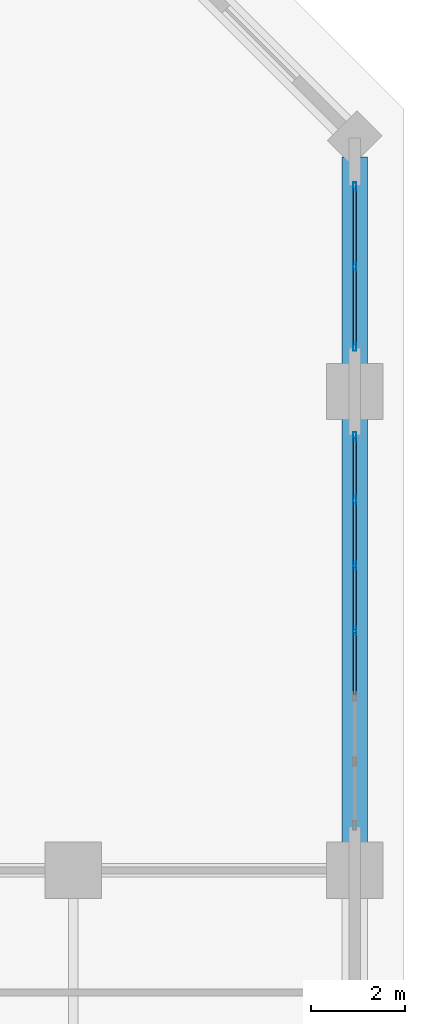
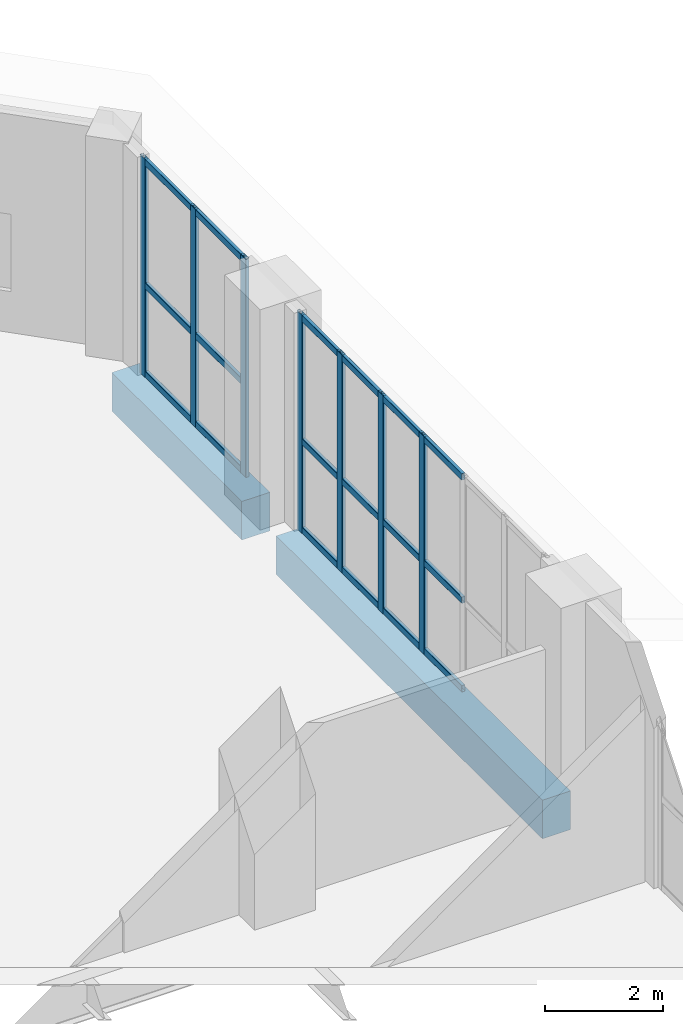
# One storey, part 24 of 37: 25 members, 2 beams, 2 elements without a shape of their own.
"""IFC4 building model written with IfcOpenShell, lengths in metres."""

from ifc_helpers import new_model, si_unit, direction, frame, origin, origin_2d, place, context, subcontext, project, spatial, rectangle, hollow_rectangle, extrude, material, layer, layer_set, material_profile, profile_set, type_object, element, aggregate, save


model = new_model("IFC4")

# Units and contexts
model_context = context("Model", 3, precision=1e-05, world=origin(), true_north=direction((0.0, 1.0)))
body_context = subcontext(model_context, "Body", "Model", "MODEL_VIEW")
ifc_project = project(units=[si_unit("LENGTHUNIT", "METRE"), si_unit("AREAUNIT", "SQUARE_METRE"), si_unit("VOLUMEUNIT", "CUBIC_METRE"), si_unit("PLANEANGLEUNIT", "RADIAN"), si_unit("MASSUNIT", "GRAM", prefix="KILO")], contexts=[model_context])

# Site, building, storey
site_placement = place(None, origin())
site = spatial("IfcSite", under=ifc_project, at=site_placement, CompositionType="ELEMENT")
building_placement = place(site_placement, origin())
building = spatial("IfcBuilding", under=site, at=building_placement, Name="Kaelvorn Grand Hotel", CompositionType="ELEMENT")
storey_placement = place(building_placement, frame((0.0, 0.0, 224.35009765625)))
storey = spatial("IfcBuildingStorey", under=building, at=storey_placement, Name="L55", CompositionType="ELEMENT", Elevation=224.35009765625)

# Beams
ifc_material_1 = material(Name="Concrete C50/60", Category="concrete")
ifc_material_profile_1 = material_profile(ifc_material_1, rectangle(XDim=0.550048828125, YDim=0.800048828125, at=origin_2d()), Name="RC SPANDREL 550x800")
ifc_profile_set_1 = profile_set([ifc_material_profile_1], Name="Concrete C50/60")
beam_type = type_object("IfcBeamType", Name="BM-SP-550x800-C50", PredefinedType="SPANDREL", material=ifc_profile_set_1)
beam_1_placement = place(storey_placement, frame((81.0, 29.985107421875, -0.64013671875), z_axis=(0.0, 1.0, 0.0), x_axis=(-1.0, 0.0, 0.0)))
element("IfcBeam", 1, at=beam_1_placement, inside=storey, type_object=beam_type, Name="L55 East Perimeter Spandrel 03", PredefinedType="SPANDREL", context=body_context, shape_type="SweptSolid", body=[
    extrude(rectangle(XDim=0.550048828125, YDim=0.800048828125, at=origin_2d()), origin(), (0.0, 0.0, 1.0), 9.02978515625),
])
beam_2_placement = place(storey_placement, frame((81.0, 40.18505859375, -0.64013671875), z_axis=(0.0, 1.0, 0.0), x_axis=(-1.0, 0.0, 0.0)))
element("IfcBeam", 2, at=beam_2_placement, inside=storey, type_object=beam_type, Name="L55 East Perimeter Spandrel 04", PredefinedType="SPANDREL", context=body_context, shape_type="SweptSolid", body=[
    extrude(rectangle(XDim=0.550048828125, YDim=0.800048828125, at=origin_2d()), origin(), (0.0, 0.0, 1.0), 4.409912109375),
])

# Curtain wall, members
ifc_material_2 = material(Name="Anodised Aluminium", Category="aluminium")
ifc_layer = layer(ifc_material_2, 0.179931640625)
ifc_layer_set = layer_set([ifc_layer], Name="Anodised Aluminium")
curtain_wall_type = type_object("IfcCurtainWallType", Name="CW-SYS4", PredefinedType="NOTDEFINED", material=ifc_layer_set)
curtain_wall_1_placement = place(storey_placement, origin())
curtain_wall_1 = element("IfcCurtainWall", 3, at=curtain_wall_1_placement, inside=storey, type_object=curtain_wall_type, Name="L55 Unitised Curtain Wall CW4 (CW-L55-E-04)", PredefinedType="NOTDEFINED")
ifc_material_profile_2 = material_profile(ifc_material_2, hollow_rectangle(XDim=0.070068359375, YDim=0.179931640625, WallThickness=0.00390625, InnerFilletRadius=0.00390625, OuterFilletRadius=0.008056640625, at=origin_2d()), Name="ALU MULL 70x180")
ifc_profile_set_2 = profile_set([ifc_material_profile_2], Name="Anodised Aluminium")
member_type_1 = type_object("IfcMemberType", Name="CW-SYS4-MULL", PredefinedType="MULLION", material=ifc_profile_set_2)
member_1_placement = place(storey_placement, frame((81.0, 34.5, 0.0), z_axis=(0.0, 0.0, 1.0), x_axis=(-1.0, 0.0, 0.0)))
member_1 = element("IfcMember", 4, at=member_1_placement, type_object=member_type_1, Name="CW4 mullion 4", PredefinedType="MULLION", context=body_context, shape_type="SweptSolid", body=[
    extrude(hollow_rectangle(XDim=0.070068359375, YDim=0.179931640625, WallThickness=0.00390625, InnerFilletRadius=0.00390625, OuterFilletRadius=0.008056640625, at=origin_2d()), origin(), (0.0, 0.0, 1.0), 4.52001953125),
])
member_2_placement = place(storey_placement, frame((81.0, 35.893310546875, 0.0), z_axis=(0.0, 0.0, 1.0), x_axis=(-1.0, 0.0, 0.0)))
member_2 = element("IfcMember", 5, at=member_2_placement, type_object=member_type_1, Name="CW4 mullion 5", PredefinedType="MULLION", context=body_context, shape_type="SweptSolid", body=[
    extrude(hollow_rectangle(XDim=0.070068359375, YDim=0.179931640625, WallThickness=0.00390625, InnerFilletRadius=0.00390625, OuterFilletRadius=0.008056640625, at=origin_2d()), origin(), (0.0, 0.0, 1.0), 4.52001953125),
])
member_3_placement = place(storey_placement, frame((81.0, 37.28662109375, 0.0), z_axis=(0.0, 0.0, 1.0), x_axis=(-1.0, 0.0, 0.0)))
member_3 = element("IfcMember", 6, at=member_3_placement, type_object=member_type_1, Name="CW4 mullion 6", PredefinedType="MULLION", context=body_context, shape_type="SweptSolid", body=[
    extrude(hollow_rectangle(XDim=0.070068359375, YDim=0.179931640625, WallThickness=0.00390625, InnerFilletRadius=0.00390625, OuterFilletRadius=0.008056640625, at=origin_2d()), origin(), (0.0, 0.0, 1.0), 4.52001953125),
])
member_4_placement = place(storey_placement, frame((81.0, 38.64501953125, 0.0), z_axis=(0.0, 0.0, 1.0), x_axis=(-1.0, 0.0, 0.0)))
member_4 = element("IfcMember", 7, at=member_4_placement, type_object=member_type_1, Name="CW4 mullion 7", PredefinedType="MULLION", context=body_context, shape_type="SweptSolid", body=[
    extrude(hollow_rectangle(XDim=0.070068359375, YDim=0.179931640625, WallThickness=0.00390625, InnerFilletRadius=0.00390625, OuterFilletRadius=0.008056640625, at=origin_2d()), origin(), (0.0, 0.0, 1.0), 4.52001953125),
])

curtain_wall_2_placement = place(storey_placement, origin())
curtain_wall_2 = element("IfcCurtainWall", 8, at=curtain_wall_2_placement, inside=storey, type_object=curtain_wall_type, Name="L55 Unitised Curtain Wall CW4 (CW-L55-E-05)", PredefinedType="NOTDEFINED")
member_5_placement = place(storey_placement, frame((81.0, 40.554931640625, 0.0), z_axis=(0.0, 0.0, 1.0), x_axis=(-1.0, 0.0, 0.0)))
member_5 = element("IfcMember", 9, at=member_5_placement, type_object=member_type_1, Name="CW4 mullion 1", PredefinedType="MULLION", context=body_context, shape_type="SweptSolid", body=[
    extrude(hollow_rectangle(XDim=0.070068359375, YDim=0.179931640625, WallThickness=0.00390625, InnerFilletRadius=0.00390625, OuterFilletRadius=0.008056640625, at=origin_2d()), origin(), (0.0, 0.0, 1.0), 4.52001953125),
])
member_6_placement = place(storey_placement, frame((81.0, 42.260009765625, 0.0), z_axis=(0.0, 0.0, 1.0), x_axis=(-1.0, 0.0, 0.0)))
member_6 = element("IfcMember", 10, at=member_6_placement, type_object=member_type_1, Name="CW4 mullion 2", PredefinedType="MULLION", context=body_context, shape_type="SweptSolid", body=[
    extrude(hollow_rectangle(XDim=0.070068359375, YDim=0.179931640625, WallThickness=0.00390625, InnerFilletRadius=0.00390625, OuterFilletRadius=0.008056640625, at=origin_2d()), origin(), (0.0, 0.0, 1.0), 4.52001953125),
])
member_7_placement = place(storey_placement, frame((81.0, 43.965087890625, 0.0), z_axis=(0.0, 0.0, 1.0), x_axis=(-1.0, 0.0, 0.0)))
member_7 = element("IfcMember", 11, at=member_7_placement, type_object=member_type_1, Name="CW4 mullion 3", PredefinedType="MULLION", context=body_context, shape_type="SweptSolid", body=[
    extrude(hollow_rectangle(XDim=0.070068359375, YDim=0.179931640625, WallThickness=0.00390625, InnerFilletRadius=0.00390625, OuterFilletRadius=0.008056640625, at=origin_2d()), origin(), (0.0, 0.0, 1.0), 4.52001953125),
])

# Member
ifc_material_profile_3 = material_profile(ifc_material_2, hollow_rectangle(XDim=0.070068359375, YDim=0.135009765625, WallThickness=0.00341796875, InnerFilletRadius=0.00341796875, OuterFilletRadius=0.007080078125, at=origin_2d()), Name="ALU TRAN 70x135")
ifc_profile_set_3 = profile_set([ifc_material_profile_3], Name="Anodised Aluminium")
member_type_2 = type_object("IfcMemberType", Name="CW-SYS4-TRAN", PredefinedType="NOTDEFINED", material=ifc_profile_set_3)
member_8_placement = place(storey_placement, frame((81.0, 33.1416015625, 0.0673828125), z_axis=(0.0, 1.0, 0.0), x_axis=(-1.0, 0.0, 0.0)))
member_8 = element("IfcMember", 12, at=member_8_placement, type_object=member_type_2, Name="CW4 transom 3.1", ObjectType="TRANSOM", PredefinedType="USERDEFINED", context=body_context, shape_type="SweptSolid", body=[
    extrude(hollow_rectangle(XDim=0.070068359375, YDim=0.135009765625, WallThickness=0.00341796875, InnerFilletRadius=0.00341796875, OuterFilletRadius=0.007080078125, at=origin_2d()), origin(), (0.0, 0.0, 1.0), 1.323486328125),
])

member_9_placement = place(storey_placement, frame((81.0, 33.1416015625, 1.898193359375), z_axis=(0.0, 1.0, 0.0), x_axis=(-1.0, 0.0, 0.0)))
member_9 = element("IfcMember", 13, at=member_9_placement, type_object=member_type_2, Name="CW4 transom 3.2", ObjectType="TRANSOM", PredefinedType="USERDEFINED", context=body_context, shape_type="SweptSolid", body=[
    extrude(hollow_rectangle(XDim=0.070068359375, YDim=0.135009765625, WallThickness=0.00341796875, InnerFilletRadius=0.00341796875, OuterFilletRadius=0.007080078125, at=origin_2d()), origin(), (0.0, 0.0, 1.0), 1.323486328125),
])

member_10_placement = place(storey_placement, frame((81.0, 33.1416015625, 4.452392578125), z_axis=(0.0, 1.0, 0.0), x_axis=(-1.0, 0.0, 0.0)))
member_10 = element("IfcMember", 14, at=member_10_placement, type_object=member_type_2, Name="CW4 transom 3.3", ObjectType="TRANSOM", PredefinedType="USERDEFINED", context=body_context, shape_type="SweptSolid", body=[
    extrude(hollow_rectangle(XDim=0.070068359375, YDim=0.135009765625, WallThickness=0.00341796875, InnerFilletRadius=0.00341796875, OuterFilletRadius=0.007080078125, at=origin_2d()), origin(), (0.0, 0.0, 1.0), 1.323486328125),
])

member_11_placement = place(storey_placement, frame((81.0, 34.534912109375, 0.0673828125), z_axis=(0.0, 1.0, 0.0), x_axis=(-1.0, 0.0, 0.0)))
member_11 = element("IfcMember", 15, at=member_11_placement, type_object=member_type_2, Name="CW4 transom 4.1", ObjectType="TRANSOM", PredefinedType="USERDEFINED", context=body_context, shape_type="SweptSolid", body=[
    extrude(hollow_rectangle(XDim=0.070068359375, YDim=0.135009765625, WallThickness=0.00341796875, InnerFilletRadius=0.00341796875, OuterFilletRadius=0.007080078125, at=origin_2d()), origin(), (0.0, 0.0, 1.0), 1.323486328125),
])

member_12_placement = place(storey_placement, frame((81.0, 34.534912109375, 1.898193359375), z_axis=(0.0, 1.0, 0.0), x_axis=(-1.0, 0.0, 0.0)))
member_12 = element("IfcMember", 16, at=member_12_placement, type_object=member_type_2, Name="CW4 transom 4.2", ObjectType="TRANSOM", PredefinedType="USERDEFINED", context=body_context, shape_type="SweptSolid", body=[
    extrude(hollow_rectangle(XDim=0.070068359375, YDim=0.135009765625, WallThickness=0.00341796875, InnerFilletRadius=0.00341796875, OuterFilletRadius=0.007080078125, at=origin_2d()), origin(), (0.0, 0.0, 1.0), 1.323486328125),
])

member_13_placement = place(storey_placement, frame((81.0, 34.534912109375, 4.452392578125), z_axis=(0.0, 1.0, 0.0), x_axis=(-1.0, 0.0, 0.0)))
member_13 = element("IfcMember", 17, at=member_13_placement, type_object=member_type_2, Name="CW4 transom 4.3", ObjectType="TRANSOM", PredefinedType="USERDEFINED", context=body_context, shape_type="SweptSolid", body=[
    extrude(hollow_rectangle(XDim=0.070068359375, YDim=0.135009765625, WallThickness=0.00341796875, InnerFilletRadius=0.00341796875, OuterFilletRadius=0.007080078125, at=origin_2d()), origin(), (0.0, 0.0, 1.0), 1.323486328125),
])

member_14_placement = place(storey_placement, frame((81.0, 35.92822265625, 0.0673828125), z_axis=(0.0, 1.0, 0.0), x_axis=(-1.0, 0.0, 0.0)))
member_14 = element("IfcMember", 18, at=member_14_placement, type_object=member_type_2, Name="CW4 transom 5.1", ObjectType="TRANSOM", PredefinedType="USERDEFINED", context=body_context, shape_type="SweptSolid", body=[
    extrude(hollow_rectangle(XDim=0.070068359375, YDim=0.135009765625, WallThickness=0.00341796875, InnerFilletRadius=0.00341796875, OuterFilletRadius=0.007080078125, at=origin_2d()), origin(), (0.0, 0.0, 1.0), 1.323486328125),
])

member_15_placement = place(storey_placement, frame((81.0, 35.92822265625, 1.898193359375), z_axis=(0.0, 1.0, 0.0), x_axis=(-1.0, 0.0, 0.0)))
member_15 = element("IfcMember", 19, at=member_15_placement, type_object=member_type_2, Name="CW4 transom 5.2", ObjectType="TRANSOM", PredefinedType="USERDEFINED", context=body_context, shape_type="SweptSolid", body=[
    extrude(hollow_rectangle(XDim=0.070068359375, YDim=0.135009765625, WallThickness=0.00341796875, InnerFilletRadius=0.00341796875, OuterFilletRadius=0.007080078125, at=origin_2d()), origin(), (0.0, 0.0, 1.0), 1.323486328125),
])

member_16_placement = place(storey_placement, frame((81.0, 35.92822265625, 4.452392578125), z_axis=(0.0, 1.0, 0.0), x_axis=(-1.0, 0.0, 0.0)))
member_16 = element("IfcMember", 20, at=member_16_placement, type_object=member_type_2, Name="CW4 transom 5.3", ObjectType="TRANSOM", PredefinedType="USERDEFINED", context=body_context, shape_type="SweptSolid", body=[
    extrude(hollow_rectangle(XDim=0.070068359375, YDim=0.135009765625, WallThickness=0.00341796875, InnerFilletRadius=0.00341796875, OuterFilletRadius=0.007080078125, at=origin_2d()), origin(), (0.0, 0.0, 1.0), 1.323486328125),
])

member_17_placement = place(storey_placement, frame((81.0, 37.32177734375, 0.0673828125), z_axis=(0.0, 1.0, 0.0), x_axis=(-1.0, 0.0, 0.0)))
member_17 = element("IfcMember", 21, at=member_17_placement, type_object=member_type_2, Name="CW4 transom 6.1", ObjectType="TRANSOM", PredefinedType="USERDEFINED", context=body_context, shape_type="SweptSolid", body=[
    extrude(hollow_rectangle(XDim=0.070068359375, YDim=0.135009765625, WallThickness=0.00341796875, InnerFilletRadius=0.00341796875, OuterFilletRadius=0.007080078125, at=origin_2d()), origin(), (0.0, 0.0, 1.0), 1.288330078125),
])

member_18_placement = place(storey_placement, frame((81.0, 37.32177734375, 1.898193359375), z_axis=(0.0, 1.0, 0.0), x_axis=(-1.0, 0.0, 0.0)))
member_18 = element("IfcMember", 22, at=member_18_placement, type_object=member_type_2, Name="CW4 transom 6.2", ObjectType="TRANSOM", PredefinedType="USERDEFINED", context=body_context, shape_type="SweptSolid", body=[
    extrude(hollow_rectangle(XDim=0.070068359375, YDim=0.135009765625, WallThickness=0.00341796875, InnerFilletRadius=0.00341796875, OuterFilletRadius=0.007080078125, at=origin_2d()), origin(), (0.0, 0.0, 1.0), 1.288330078125),
])

member_19_placement = place(storey_placement, frame((81.0, 37.32177734375, 4.452392578125), z_axis=(0.0, 1.0, 0.0), x_axis=(-1.0, 0.0, 0.0)))
member_19 = element("IfcMember", 23, at=member_19_placement, type_object=member_type_2, Name="CW4 transom 6.3", ObjectType="TRANSOM", PredefinedType="USERDEFINED", context=body_context, shape_type="SweptSolid", body=[
    extrude(hollow_rectangle(XDim=0.070068359375, YDim=0.135009765625, WallThickness=0.00341796875, InnerFilletRadius=0.00341796875, OuterFilletRadius=0.007080078125, at=origin_2d()), origin(), (0.0, 0.0, 1.0), 1.288330078125),
])

aggregate(curtain_wall_1, [member_1, member_2, member_3, member_4, member_8, member_9, member_10, member_11, member_12, member_13, member_14, member_15, member_16, member_17, member_18, member_19])

member_20_placement = place(storey_placement, frame((81.0, 40.590087890625, 0.0673828125), z_axis=(0.0, 1.0, 0.0), x_axis=(-1.0, 0.0, 0.0)))
member_20 = element("IfcMember", 24, at=member_20_placement, type_object=member_type_2, Name="CW4 transom 1.1", ObjectType="TRANSOM", PredefinedType="USERDEFINED", context=body_context, shape_type="SweptSolid", body=[
    extrude(hollow_rectangle(XDim=0.070068359375, YDim=0.135009765625, WallThickness=0.00341796875, InnerFilletRadius=0.00341796875, OuterFilletRadius=0.007080078125, at=origin_2d()), origin(), (0.0, 0.0, 1.0), 1.635009765625),
])

member_21_placement = place(storey_placement, frame((81.0, 40.590087890625, 1.898193359375), z_axis=(0.0, 1.0, 0.0), x_axis=(-1.0, 0.0, 0.0)))
member_21 = element("IfcMember", 25, at=member_21_placement, type_object=member_type_2, Name="CW4 transom 1.2", ObjectType="TRANSOM", PredefinedType="USERDEFINED", context=body_context, shape_type="SweptSolid", body=[
    extrude(hollow_rectangle(XDim=0.070068359375, YDim=0.135009765625, WallThickness=0.00341796875, InnerFilletRadius=0.00341796875, OuterFilletRadius=0.007080078125, at=origin_2d()), origin(), (0.0, 0.0, 1.0), 1.635009765625),
])

member_22_placement = place(storey_placement, frame((81.0, 40.590087890625, 4.452392578125), z_axis=(0.0, 1.0, 0.0), x_axis=(-1.0, 0.0, 0.0)))
member_22 = element("IfcMember", 26, at=member_22_placement, type_object=member_type_2, Name="CW4 transom 1.3", ObjectType="TRANSOM", PredefinedType="USERDEFINED", context=body_context, shape_type="SweptSolid", body=[
    extrude(hollow_rectangle(XDim=0.070068359375, YDim=0.135009765625, WallThickness=0.00341796875, InnerFilletRadius=0.00341796875, OuterFilletRadius=0.007080078125, at=origin_2d()), origin(), (0.0, 0.0, 1.0), 1.635009765625),
])

member_23_placement = place(storey_placement, frame((81.0, 42.294921875, 0.0673828125), z_axis=(0.0, 1.0, 0.0), x_axis=(-1.0, 0.0, 0.0)))
member_23 = element("IfcMember", 27, at=member_23_placement, type_object=member_type_2, Name="CW4 transom 2.1", ObjectType="TRANSOM", PredefinedType="USERDEFINED", context=body_context, shape_type="SweptSolid", body=[
    extrude(hollow_rectangle(XDim=0.070068359375, YDim=0.135009765625, WallThickness=0.00341796875, InnerFilletRadius=0.00341796875, OuterFilletRadius=0.007080078125, at=origin_2d()), origin(), (0.0, 0.0, 1.0), 1.635009765625),
])

member_24_placement = place(storey_placement, frame((81.0, 42.294921875, 1.898193359375), z_axis=(0.0, 1.0, 0.0), x_axis=(-1.0, 0.0, 0.0)))
member_24 = element("IfcMember", 28, at=member_24_placement, type_object=member_type_2, Name="CW4 transom 2.2", ObjectType="TRANSOM", PredefinedType="USERDEFINED", context=body_context, shape_type="SweptSolid", body=[
    extrude(hollow_rectangle(XDim=0.070068359375, YDim=0.135009765625, WallThickness=0.00341796875, InnerFilletRadius=0.00341796875, OuterFilletRadius=0.007080078125, at=origin_2d()), origin(), (0.0, 0.0, 1.0), 1.635009765625),
])

member_25_placement = place(storey_placement, frame((81.0, 42.294921875, 4.452392578125), z_axis=(0.0, 1.0, 0.0), x_axis=(-1.0, 0.0, 0.0)))
member_25 = element("IfcMember", 29, at=member_25_placement, type_object=member_type_2, Name="CW4 transom 2.3", ObjectType="TRANSOM", PredefinedType="USERDEFINED", context=body_context, shape_type="SweptSolid", body=[
    extrude(hollow_rectangle(XDim=0.070068359375, YDim=0.135009765625, WallThickness=0.00341796875, InnerFilletRadius=0.00341796875, OuterFilletRadius=0.007080078125, at=origin_2d()), origin(), (0.0, 0.0, 1.0), 1.635009765625),
])

aggregate(curtain_wall_2, [member_5, member_6, member_7, member_20, member_21, member_22, member_23, member_24, member_25])

save(model, "model.ifc")
